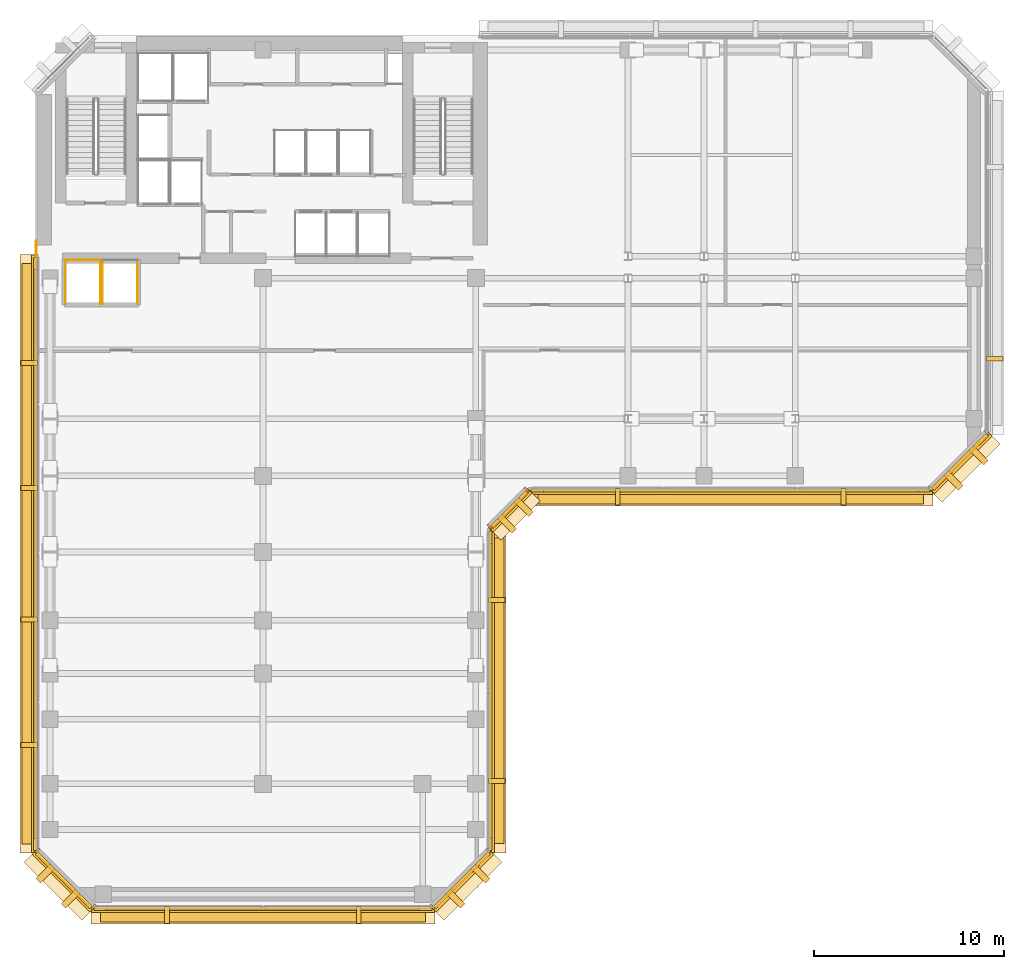
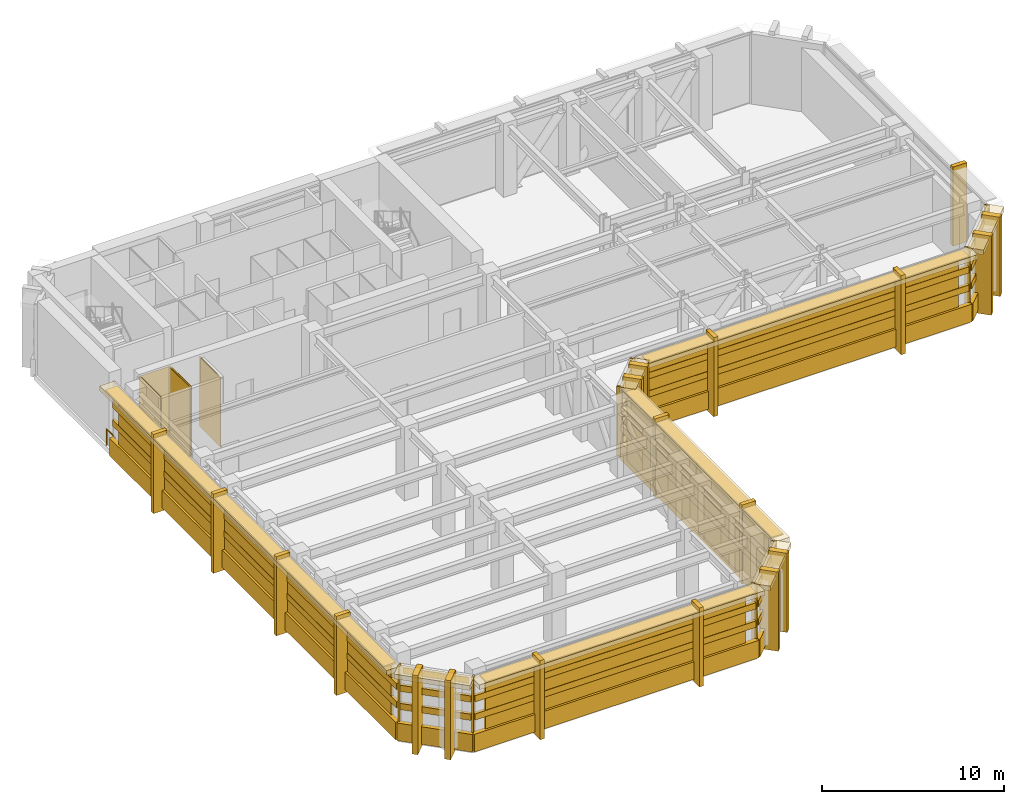
# One storey, part 9 of 12: 68 coverings, 8 shading devices, 1 railing.
"""IFC4 building model written with IfcOpenShell, lengths in metres."""

from ifc_helpers import new_model, si_unit, direction, frame, origin, origin_2d, place, context, subcontext, project, spatial, polyline, rectangle, circle, outline, extrude, material, layer, layer_set, type_object, element, save


model = new_model("IFC4")

# Units and contexts
model_context = context("Model", 3, precision=1e-05, world=origin(), true_north=direction((0.0, 1.0)))
body_context = subcontext(model_context, "Body", "Model", "MODEL_VIEW")
ifc_project = project(units=[si_unit("LENGTHUNIT", "METRE"), si_unit("AREAUNIT", "SQUARE_METRE"), si_unit("VOLUMEUNIT", "CUBIC_METRE"), si_unit("PLANEANGLEUNIT", "RADIAN"), si_unit("MASSUNIT", "GRAM", prefix="KILO")], contexts=[model_context])

# Site, building, storey
site_placement = place(None, origin())
site = spatial("IfcSite", under=ifc_project, at=site_placement, CompositionType="ELEMENT")
building_placement = place(site_placement, origin())
building = spatial("IfcBuilding", under=site, at=building_placement, Name="Kefirva Bronze Tower", CompositionType="ELEMENT")
storey_placement = place(building_placement, frame((0.0, 0.0, 174.570068359375)))
storey = spatial("IfcBuildingStorey", under=building, at=storey_placement, Name="L42", CompositionType="ELEMENT", Elevation=174.570068359375)

# Coverings
ifc_material_1 = material(Name="Bronze anodised aluminium", Category="aluminium")
ifc_layer_1 = layer(ifc_material_1, 0.02001953125, Name="Bronze anodised aluminium")
ifc_layer_set_1 = layer_set([ifc_layer_1], Name="Bronze anodised aluminium")
covering_type_1 = type_object("IfcCoveringType", Name="Anodised Bronze Spandrel Cladding 20mm", PredefinedType="CLADDING", material=ifc_layer_set_1)
covering_1_placement = place(storey_placement, frame((12.0, -0.0400390625, -0.16015625), z_axis=(0.0, 0.0, 1.0), x_axis=(1.0, 0.0, 0.0)))
element("IfcCovering", 1, at=covering_1_placement, inside=storey, type_object=covering_type_1, Name="L42 Streamline Horizontal Spandrel Band 0", PredefinedType="CLADDING", context=body_context, shape_type="SweptSolid", body=[
    extrude(rectangle(XDim=18.0400390625, YDim=0.280029296875, at=origin_2d()), origin(), (0.0, 0.0, 1.0), 1.179931640625),
])
for number, where, z_axis, x_axis, name in (
    (2, (12.0, 0.0400390625, 1.85791015625), (0.0, 0.0, 1.0), (1.0, 0.0, 0.0), "L42 Recessed Zone-Break Bronze Louvre Band 0-1"),
    (3, (12.0, 0.0400390625, 3.080078125), (0.0, 0.0, 1.0), (1.0, 0.0, 0.0), "L42 Recessed Zone-Break Bronze Louvre Band 0-2"),
):
    element("IfcCovering", number, at=place(storey_placement, frame(where, z_axis=z_axis, x_axis=x_axis)), inside=storey, type_object=covering_type_1, Name=name, PredefinedType="CLADDING", context=body_context, shape_type="SweptSolid", body=[
        extrude(rectangle(XDim=17.800048828125, YDim=0.199951171875, at=origin_2d()), origin(), (0.0, 0.0, 1.0), 0.419921875),
    ])
covering_2_placement = place(storey_placement, frame((22.507080078125, 1.492919921875, 4.280029296875), z_axis=(0.0, 0.0, 1.0), x_axis=(0.707106781187, 0.707106781187, 0.0)))
element("IfcCovering", 4, at=covering_2_placement, inside=storey, type_object=covering_type_1, Name="L42 Bronze Spandrel Cladding 1", PredefinedType="CLADDING", context=body_context, shape_type="SweptSolid", body=[
    extrude(rectangle(XDim=3.719482421875, YDim=0.02001953125, at=origin_2d()), origin(), (0.0, 0.0, 1.0), 0.39990234375),
])
for number, where, z_axis, x_axis, name in (
    (5, (20.91162109375, 0.137939453125, 0.0), (0.0, 0.0, 1.0), (0.707106781187, 0.707106781187, 0.0), "L42 Facade Joint Closure Panel 1S"),
    (6, (23.862060546875, 3.08837890625, 0.0), (0.0, 0.0, 1.0), (0.707106781187, 0.707106781187, 0.0), "L42 Facade Joint Closure Panel 1E"),
):
    element("IfcCovering", number, at=place(storey_placement, frame(where, z_axis=z_axis, x_axis=x_axis)), inside=storey, type_object=covering_type_1, Name=name, PredefinedType="CLADDING", context=body_context, shape_type="SweptSolid", body=[
        extrude(rectangle(XDim=0.10009765625, YDim=0.320068359375, at=origin_2d()), origin(), (0.0, 0.0, 1.0), 4.699951171875),
    ])
covering_3_placement = place(storey_placement, frame((22.5283203125, 1.4716796875, -0.16015625), z_axis=(0.0, 0.0, 1.0), x_axis=(0.707106781187, 0.707106781187, 0.0)))
element("IfcCovering", 7, at=covering_3_placement, inside=storey, type_object=covering_type_1, Name="L42 Streamline Horizontal Spandrel Band 1", PredefinedType="CLADDING", context=body_context, shape_type="SweptSolid", body=[
    extrude(rectangle(XDim=4.28271484375, YDim=0.280029296875, at=origin_2d()), origin(), (0.0, 0.0, 1.0), 1.179931640625),
])
for number, where, z_axis, x_axis, name in (
    (8, (22.4716796875, 1.5283203125, 1.85791015625), (0.0, 0.0, 1.0), (0.707106781187, 0.707106781187, 0.0), "L42 Recessed Zone-Break Bronze Louvre Band 1-1"),
    (9, (22.4716796875, 1.5283203125, 3.080078125), (0.0, 0.0, 1.0), (0.707106781187, 0.707106781187, 0.0), "L42 Recessed Zone-Break Bronze Louvre Band 1-2"),
):
    element("IfcCovering", number, at=place(storey_placement, frame(where, z_axis=z_axis, x_axis=x_axis)), inside=storey, type_object=covering_type_1, Name=name, PredefinedType="CLADDING", context=body_context, shape_type="SweptSolid", body=[
        extrude(rectangle(XDim=4.04248046875, YDim=0.199951171875, at=origin_2d()), origin(), (0.0, 0.0, 1.0), 0.419921875),
    ])
covering_4_placement = place(storey_placement, frame((24.0400390625, 11.5, -0.16015625), z_axis=(0.0, 0.0, 1.0), x_axis=(0.0, 1.0, 0.0)))
element("IfcCovering", 10, at=covering_4_placement, inside=storey, type_object=covering_type_1, Name="L42 Streamline Horizontal Spandrel Band 2", PredefinedType="CLADDING", context=body_context, shape_type="SweptSolid", body=[
    extrude(rectangle(XDim=17.0400390625, YDim=0.280029296875, at=origin_2d()), origin(), (0.0, 0.0, 1.0), 1.179931640625),
])
for number, where, z_axis, x_axis, name in (
    (11, (23.9599609375, 11.5, 1.85791015625), (0.0, 0.0, 1.0), (0.0, 1.0, 0.0), "L42 Recessed Zone-Break Bronze Louvre Band 2-1"),
    (12, (23.9599609375, 11.5, 3.080078125), (0.0, 0.0, 1.0), (0.0, 1.0, 0.0), "L42 Recessed Zone-Break Bronze Louvre Band 2-2"),
):
    element("IfcCovering", number, at=place(storey_placement, frame(where, z_axis=z_axis, x_axis=x_axis)), inside=storey, type_object=covering_type_1, Name=name, PredefinedType="CLADDING", context=body_context, shape_type="SweptSolid", body=[
        extrude(rectangle(XDim=16.800048828125, YDim=0.199951171875, at=origin_2d()), origin(), (0.0, 0.0, 1.0), 0.419921875),
    ])
covering_5_placement = place(storey_placement, frame((25.007080078125, 20.992919921875, 4.280029296875), z_axis=(0.0, 0.0, 1.0), x_axis=(0.707106781187, 0.707106781187, 0.0)))
element("IfcCovering", 13, at=covering_5_placement, inside=storey, type_object=covering_type_1, Name="L42 Bronze Spandrel Cladding 2", PredefinedType="CLADDING", context=body_context, shape_type="SweptSolid", body=[
    extrude(rectangle(XDim=2.446533203125, YDim=0.02001953125, at=origin_2d()), origin(), (0.0, 0.0, 1.0), 0.39990234375),
])
for number, where, z_axis, x_axis, name in (
    (14, (23.91162109375, 20.137939453125, 0.0), (0.0, 0.0, 1.0), (0.707106781187, 0.707106781187, 0.0), "L42 Facade Joint Closure Panel 2S"),
    (15, (25.862060546875, 22.08837890625, 0.0), (0.0, 0.0, 1.0), (0.707106781187, 0.707106781187, 0.0), "L42 Facade Joint Closure Panel 2E"),
):
    element("IfcCovering", number, at=place(storey_placement, frame(where, z_axis=z_axis, x_axis=x_axis)), inside=storey, type_object=covering_type_1, Name=name, PredefinedType="CLADDING", context=body_context, shape_type="SweptSolid", body=[
        extrude(rectangle(XDim=0.10009765625, YDim=0.320068359375, at=origin_2d()), origin(), (0.0, 0.0, 1.0), 4.699951171875),
    ])
covering_6_placement = place(storey_placement, frame((25.0283203125, 20.9716796875, -0.16015625), z_axis=(0.0, 0.0, 1.0), x_axis=(0.707106781187, 0.707106781187, 0.0)))
element("IfcCovering", 16, at=covering_6_placement, inside=storey, type_object=covering_type_1, Name="L42 Streamline Horizontal Spandrel Band 3", PredefinedType="CLADDING", context=body_context, shape_type="SweptSolid", body=[
    extrude(rectangle(XDim=2.868408203125, YDim=0.280029296875, at=origin_2d()), origin(), (0.0, 0.0, 1.0), 1.179931640625),
])
for number, where, z_axis, x_axis, name in (
    (17, (24.9716796875, 21.0283203125, 1.85791015625), (0.0, 0.0, 1.0), (0.707106781187, 0.707106781187, 0.0), "L42 Recessed Zone-Break Bronze Louvre Band 3-1"),
    (18, (24.9716796875, 21.0283203125, 3.080078125), (0.0, 0.0, 1.0), (0.707106781187, 0.707106781187, 0.0), "L42 Recessed Zone-Break Bronze Louvre Band 3-2"),
):
    element("IfcCovering", number, at=place(storey_placement, frame(where, z_axis=z_axis, x_axis=x_axis)), inside=storey, type_object=covering_type_1, Name=name, PredefinedType="CLADDING", context=body_context, shape_type="SweptSolid", body=[
        extrude(rectangle(XDim=2.62841796875, YDim=0.199951171875, at=origin_2d()), origin(), (0.0, 0.0, 1.0), 0.419921875),
    ])
covering_7_placement = place(storey_placement, frame((36.60009765625, 21.9599609375, -0.16015625), z_axis=(0.0, 0.0, 1.0), x_axis=(1.0, 0.0, 0.0)))
element("IfcCovering", 19, at=covering_7_placement, inside=storey, type_object=covering_type_1, Name="L42 Streamline Horizontal Spandrel Band 4", PredefinedType="CLADDING", context=body_context, shape_type="SweptSolid", body=[
    extrude(rectangle(XDim=21.239990234375, YDim=0.280029296875, at=origin_2d()), origin(), (0.0, 0.0, 1.0), 1.179931640625),
])
for number, where, z_axis, x_axis, name in (
    (20, (36.60009765625, 22.0400390625, 1.85791015625), (0.0, 0.0, 1.0), (1.0, 0.0, 0.0), "L42 Recessed Zone-Break Bronze Louvre Band 4-1"),
    (21, (36.60009765625, 22.0400390625, 3.080078125), (0.0, 0.0, 1.0), (1.0, 0.0, 0.0), "L42 Recessed Zone-Break Bronze Louvre Band 4-2"),
):
    element("IfcCovering", number, at=place(storey_placement, frame(where, z_axis=z_axis, x_axis=x_axis)), inside=storey, type_object=covering_type_1, Name=name, PredefinedType="CLADDING", context=body_context, shape_type="SweptSolid", body=[
        extrude(rectangle(XDim=21.0, YDim=0.199951171875, at=origin_2d()), origin(), (0.0, 0.0, 1.0), 0.419921875),
    ])
covering_8_placement = place(storey_placement, frame((48.70703125, 23.492919921875, 4.280029296875), z_axis=(0.0, 0.0, 1.0), x_axis=(0.707106781187, 0.707106781187, 0.0)))
element("IfcCovering", 22, at=covering_8_placement, inside=storey, type_object=covering_type_1, Name="L42 Bronze Spandrel Cladding 3", PredefinedType="CLADDING", context=body_context, shape_type="SweptSolid", body=[
    extrude(rectangle(XDim=3.719482421875, YDim=0.02001953125, at=origin_2d()), origin(), (0.0, 0.0, 1.0), 0.39990234375),
])
for number, where, z_axis, x_axis, name in (
    (23, (47.11181640625, 22.137939453125, 0.0), (0.0, 0.0, 1.0), (0.707106781187, 0.707106781187, 0.0), "L42 Facade Joint Closure Panel 3S"),
    (24, (50.06201171875, 25.08837890625, 0.0), (0.0, 0.0, 1.0), (0.707106781187, 0.707106781187, 0.0), "L42 Facade Joint Closure Panel 3E"),
):
    element("IfcCovering", number, at=place(storey_placement, frame(where, z_axis=z_axis, x_axis=x_axis)), inside=storey, type_object=covering_type_1, Name=name, PredefinedType="CLADDING", context=body_context, shape_type="SweptSolid", body=[
        extrude(rectangle(XDim=0.10009765625, YDim=0.320068359375, at=origin_2d()), origin(), (0.0, 0.0, 1.0), 4.699951171875),
    ])
covering_9_placement = place(storey_placement, frame((48.728271484375, 23.4716796875, -0.16015625), z_axis=(0.0, 0.0, 1.0), x_axis=(0.707106781187, 0.707106781187, 0.0)))
element("IfcCovering", 25, at=covering_9_placement, inside=storey, type_object=covering_type_1, Name="L42 Streamline Horizontal Spandrel Band 5", PredefinedType="CLADDING", context=body_context, shape_type="SweptSolid", body=[
    extrude(rectangle(XDim=4.28271484375, YDim=0.280029296875, at=origin_2d()), origin(), (0.0, 0.0, 1.0), 1.179931640625),
])
for number, where, z_axis, x_axis, name in (
    (26, (48.671630859375, 23.5283203125, 1.85791015625), (0.0, 0.0, 1.0), (0.707106781187, 0.707106781187, 0.0), "L42 Recessed Zone-Break Bronze Louvre Band 5-1"),
    (27, (48.671630859375, 23.5283203125, 3.080078125), (0.0, 0.0, 1.0), (0.707106781187, 0.707106781187, 0.0), "L42 Recessed Zone-Break Bronze Louvre Band 5-2"),
):
    element("IfcCovering", number, at=place(storey_placement, frame(where, z_axis=z_axis, x_axis=x_axis)), inside=storey, type_object=covering_type_1, Name=name, PredefinedType="CLADDING", context=body_context, shape_type="SweptSolid", body=[
        extrude(rectangle(XDim=4.04248046875, YDim=0.199951171875, at=origin_2d()), origin(), (0.0, 0.0, 1.0), 0.419921875),
    ])
covering_10_placement = place(storey_placement, frame((-0.0400390625, 18.697509765625, -0.16015625), z_axis=(0.0, 0.0, 1.0), x_axis=(0.0, -1.0, 0.0)))
element("IfcCovering", 28, at=covering_10_placement, inside=storey, type_object=covering_type_1, Name="L42 Streamline Horizontal Spandrel Band 10", PredefinedType="CLADDING", context=body_context, shape_type="SweptSolid", body=[
    extrude(rectangle(XDim=31.43505859375, YDim=0.280029296875, at=origin_2d()), origin(), (0.0, 0.0, 1.0), 1.179931640625),
])
for number, where, z_axis, x_axis, name in (
    (29, (0.0400390625, 18.697509765625, 1.85791015625), (0.0, 0.0, 1.0), (0.0, -1.0, 0.0), "L42 Recessed Zone-Break Bronze Louvre Band 10-1"),
    (30, (0.0400390625, 18.697509765625, 3.080078125), (0.0, 0.0, 1.0), (0.0, -1.0, 0.0), "L42 Recessed Zone-Break Bronze Louvre Band 10-2"),
):
    element("IfcCovering", number, at=place(storey_placement, frame(where, z_axis=z_axis, x_axis=x_axis)), inside=storey, type_object=covering_type_1, Name=name, PredefinedType="CLADDING", context=body_context, shape_type="SweptSolid", body=[
        extrude(rectangle(XDim=31.195068359375, YDim=0.199951171875, at=origin_2d()), origin(), (0.0, 0.0, 1.0), 0.419921875),
    ])
covering_11_placement = place(storey_placement, frame((1.492919921875, 1.492919921875, 4.280029296875), z_axis=(0.0, 0.0, 1.0), x_axis=(0.707106781187, -0.707106781187, 0.0)))
element("IfcCovering", 31, at=covering_11_placement, inside=storey, type_object=covering_type_1, Name="L42 Bronze Spandrel Cladding 6", PredefinedType="CLADDING", context=body_context, shape_type="SweptSolid", body=[
    extrude(rectangle(XDim=3.719482421875, YDim=0.02001953125, at=origin_2d()), origin(), (0.0, 0.0, 1.0), 0.39990234375),
])
for number, where, z_axis, x_axis, name in (
    (32, (0.137939453125, 3.08837890625, 0.0), (0.0, 0.0, 1.0), (0.707106781187, -0.707106781187, 0.0), "L42 Facade Joint Closure Panel 6S"),
    (33, (3.08837890625, 0.137939453125, 0.0), (0.0, 0.0, 1.0), (0.707106781187, -0.707106781187, 0.0), "L42 Facade Joint Closure Panel 6E"),
):
    element("IfcCovering", number, at=place(storey_placement, frame(where, z_axis=z_axis, x_axis=x_axis)), inside=storey, type_object=covering_type_1, Name=name, PredefinedType="CLADDING", context=body_context, shape_type="SweptSolid", body=[
        extrude(rectangle(XDim=0.10009765625, YDim=0.320068359375, at=origin_2d()), origin(), (0.0, 0.0, 1.0), 4.699951171875),
    ])
covering_12_placement = place(storey_placement, frame((1.4716796875, 1.4716796875, -0.16015625), z_axis=(0.0, 0.0, 1.0), x_axis=(0.707106781187, -0.707106781187, 0.0)))
element("IfcCovering", 34, at=covering_12_placement, inside=storey, type_object=covering_type_1, Name="L42 Streamline Horizontal Spandrel Band 11", PredefinedType="CLADDING", context=body_context, shape_type="SweptSolid", body=[
    extrude(rectangle(XDim=4.28271484375, YDim=0.280029296875, at=origin_2d()), origin(), (0.0, 0.0, 1.0), 1.179931640625),
])
for number, where, z_axis, x_axis, name in (
    (35, (1.5283203125, 1.5283203125, 1.85791015625), (0.0, 0.0, 1.0), (0.707106781187, -0.707106781187, 0.0), "L42 Recessed Zone-Break Bronze Louvre Band 11-1"),
    (36, (1.5283203125, 1.5283203125, 3.080078125), (0.0, 0.0, 1.0), (0.707106781187, -0.707106781187, 0.0), "L42 Recessed Zone-Break Bronze Louvre Band 11-2"),
):
    element("IfcCovering", number, at=place(storey_placement, frame(where, z_axis=z_axis, x_axis=x_axis)), inside=storey, type_object=covering_type_1, Name=name, PredefinedType="CLADDING", context=body_context, shape_type="SweptSolid", body=[
        extrude(rectangle(XDim=4.04248046875, YDim=0.199951171875, at=origin_2d()), origin(), (0.0, 0.0, 1.0), 0.419921875),
    ])
covering_13_placement = place(storey_placement, origin())
element("IfcCovering", 37, at=covering_13_placement, inside=storey, type_object=covering_type_1, Name="L42 Lift OB1 Hoistway Liner N", PredefinedType="CLADDING", context=body_context, shape_type="SweptSolid", body=[
    extrude(outline(polyline([(1.580078125, 34.139892578125), (3.469970703125, 34.139892578125), (3.469970703125, 34.159912109375), (1.580078125, 34.159912109375), (1.580078125, 34.139892578125)])), origin(), (0.0, 0.0, 1.0), 4.699951171875),
])
covering_14_placement = place(storey_placement, origin())
element("IfcCovering", 38, at=covering_14_placement, inside=storey, type_object=covering_type_1, Name="L42 Lift OB1 Hoistway Liner W", PredefinedType="CLADDING", context=body_context, shape_type="SweptSolid", body=[
    extrude(outline(polyline([(1.590087890625, 31.830078125), (1.610107421875, 31.830078125), (1.610107421875, 34.169921875), (1.590087890625, 34.169921875), (1.590087890625, 31.830078125)])), origin(), (0.0, 0.0, 1.0), 4.699951171875),
])
covering_15_placement = place(storey_placement, origin())
element("IfcCovering", 39, at=covering_15_placement, inside=storey, type_object=covering_type_1, Name="L42 Lift OB1 Hoistway Liner E", PredefinedType="CLADDING", context=body_context, shape_type="SweptSolid", body=[
    extrude(outline(polyline([(3.43994140625, 31.830078125), (3.4599609375, 31.830078125), (3.4599609375, 34.169921875), (3.43994140625, 34.169921875), (3.43994140625, 31.830078125)])), origin(), (0.0, 0.0, 1.0), 4.699951171875),
])
covering_16_placement = place(storey_placement, origin())
element("IfcCovering", 40, at=covering_16_placement, inside=storey, type_object=covering_type_1, Name="L42 Lift OB2 Hoistway Liner W", PredefinedType="CLADDING", context=body_context, shape_type="SweptSolid", body=[
    extrude(outline(polyline([(3.5400390625, 31.830078125), (3.56005859375, 31.830078125), (3.56005859375, 34.169921875), (3.5400390625, 34.169921875), (3.5400390625, 31.830078125)])), origin(), (0.0, 0.0, 1.0), 4.699951171875),
])
covering_17_placement = place(storey_placement, origin())
element("IfcCovering", 41, at=covering_17_placement, inside=storey, type_object=covering_type_1, Name="L42 Lift OB2 Hoistway Liner E", PredefinedType="CLADDING", context=body_context, shape_type="SweptSolid", body=[
    extrude(outline(polyline([(5.389892578125, 31.830078125), (5.409912109375, 31.830078125), (5.409912109375, 34.169921875), (5.389892578125, 34.169921875), (5.389892578125, 31.830078125)])), origin(), (0.0, 0.0, 1.0), 4.699951171875),
])

# Shading devices
ifc_layer_2 = layer(ifc_material_1, 0.090087890625, Name="Bronze anodised aluminium")
ifc_layer_set_2 = layer_set([ifc_layer_2], Name="Bronze anodised aluminium")
shading_device_type_1 = type_object("IfcShadingDeviceType", Name="Horizontal Bronze Sunshade Band 750mm", PredefinedType="JALOUSIE", material=ifc_layer_set_2)
shading_device_1_placement = place(storey_placement, frame((12.0, -0.294921875, 4.5947265625), z_axis=(0.0, 0.0, 1.0), x_axis=(1.0, 0.0, 0.0)))
element("IfcShadingDevice", 42, at=shading_device_1_placement, inside=storey, type_object=shading_device_type_1, Name="L42 Horizontal Bronze Sunshade Band 0", PredefinedType="JALOUSIE", context=body_context, shape_type="SweptSolid", body=[
    extrude(rectangle(XDim=17.090087890625, YDim=0.75, at=origin_2d()), origin(), (0.0, 0.0, 1.0), 0.090087890625),
])
shading_device_2_placement = place(storey_placement, frame((24.294921875, 11.5, 4.5947265625), z_axis=(0.0, 0.0, 1.0), x_axis=(0.0, 1.0, 0.0)))
element("IfcShadingDevice", 43, at=shading_device_2_placement, inside=storey, type_object=shading_device_type_1, Name="L42 Horizontal Bronze Sunshade Band 2", PredefinedType="JALOUSIE", context=body_context, shape_type="SweptSolid", body=[
    extrude(rectangle(XDim=16.090087890625, YDim=0.75, at=origin_2d()), origin(), (0.0, 0.0, 1.0), 0.090087890625),
])
shading_device_3_placement = place(storey_placement, frame((36.60009765625, 21.705078125, 4.5947265625), z_axis=(0.0, 0.0, 1.0), x_axis=(1.0, 0.0, 0.0)))
element("IfcShadingDevice", 44, at=shading_device_3_placement, inside=storey, type_object=shading_device_type_1, Name="L42 Horizontal Bronze Sunshade Band 4", PredefinedType="JALOUSIE", context=body_context, shape_type="SweptSolid", body=[
    extrude(rectangle(XDim=20.2900390625, YDim=0.75, at=origin_2d()), origin(), (0.0, 0.0, 1.0), 0.090087890625),
])
shading_device_4_placement = place(storey_placement, frame((-0.294921875, 18.697509765625, 4.5947265625), z_axis=(0.0, 0.0, 1.0), x_axis=(0.0, -1.0, 0.0)))
element("IfcShadingDevice", 45, at=shading_device_4_placement, inside=storey, type_object=shading_device_type_1, Name="L42 Horizontal Bronze Sunshade Band 10", PredefinedType="JALOUSIE", context=body_context, shape_type="SweptSolid", body=[
    extrude(rectangle(XDim=30.5400390625, YDim=0.75, at=origin_2d()), origin(), (0.0, 0.0, 1.0), 0.090087890625),
])

# Railing
ifc_material_2 = material(Name="Stainless steel 316", Category="steel")
railing_type = type_object("IfcRailingType", Name="Interior Stair Guardrail 1100mm", PredefinedType="GUARDRAIL", material=ifc_material_2)
railing_placement = place(storey_placement, frame((0.080078125, 34.199951171875, 0.0)))
element("IfcRailing", 46, at=railing_placement, inside=storey, type_object=railing_type, Name="L42 West Core Junction Guardrail", PredefinedType="GUARDRAIL", context=body_context, shape_type="SweptSolid", body=[
    extrude(circle(Radius=0.02392578125, at=origin_2d()), frame((0.0, 0.0, 1.076171875), z_axis=(0.0, 1.0, 0.0), x_axis=(-1.0, 0.0, 0.0)), (0.0, 0.0, 1.0), 0.949951171875),
    extrude(circle(Radius=0.02099609375, at=origin_2d()), origin(), (0.0, 0.0, 1.0), 1.052001953125),
    extrude(circle(Radius=0.02099609375, at=origin_2d()), frame((0.0, 0.949951171875, 0.0)), (0.0, 0.0, 1.0), 1.052001953125),
])

# Shading devices
ifc_layer_3 = layer(ifc_material_1, 0.159912109375, Name="Bronze anodised aluminium")
ifc_layer_set_3 = layer_set([ifc_layer_3], Name="Bronze anodised aluminium")
shading_device_type_2 = type_object("IfcShadingDeviceType", Name="Recessed Zone-Break Acoustic Louvre Screen", PredefinedType="SHUTTER", material=ifc_layer_set_3)
shading_device_5_placement = place(storey_placement, frame((12.0, 0.0400390625, 0.25), z_axis=(0.0, 0.0, 1.0), x_axis=(1.0, 0.0, 0.0)))
element("IfcShadingDevice", 47, at=shading_device_5_placement, inside=storey, type_object=shading_device_type_2, Name="L42 Acoustic Plant Louvre Screen 0", PredefinedType="SHUTTER", context=body_context, shape_type="SweptSolid", body=[
    extrude(rectangle(XDim=16.489990234375, YDim=0.159912109375, at=origin_2d()), origin(), (0.0, 0.0, 1.0), 4.199951171875),
])
shading_device_6_placement = place(storey_placement, frame((23.9599609375, 11.5, 0.25), z_axis=(0.0, 0.0, 1.0), x_axis=(0.0, 1.0, 0.0)))
element("IfcShadingDevice", 48, at=shading_device_6_placement, inside=storey, type_object=shading_device_type_2, Name="L42 Acoustic Plant Louvre Screen 2", PredefinedType="SHUTTER", context=body_context, shape_type="SweptSolid", body=[
    extrude(rectangle(XDim=15.489990234375, YDim=0.159912109375, at=origin_2d()), origin(), (0.0, 0.0, 1.0), 4.199951171875),
])
shading_device_7_placement = place(storey_placement, frame((36.60009765625, 22.0400390625, 0.25), z_axis=(0.0, 0.0, 1.0), x_axis=(1.0, 0.0, 0.0)))
element("IfcShadingDevice", 49, at=shading_device_7_placement, inside=storey, type_object=shading_device_type_2, Name="L42 Acoustic Plant Louvre Screen 4", PredefinedType="SHUTTER", context=body_context, shape_type="SweptSolid", body=[
    extrude(rectangle(XDim=19.68994140625, YDim=0.159912109375, at=origin_2d()), origin(), (0.0, 0.0, 1.0), 4.199951171875),
])
shading_device_8_placement = place(storey_placement, frame((0.0400390625, 18.697509765625, 0.25), z_axis=(0.0, 0.0, 1.0), x_axis=(0.0, -1.0, 0.0)))
element("IfcShadingDevice", 50, at=shading_device_8_placement, inside=storey, type_object=shading_device_type_2, Name="L42 Acoustic Plant Louvre Screen 10", PredefinedType="SHUTTER", context=body_context, shape_type="SweptSolid", body=[
    extrude(rectangle(XDim=29.93994140625, YDim=0.159912109375, at=origin_2d()), origin(), (0.0, 0.0, 1.0), 4.199951171875),
])

# Coverings
ifc_layer_4 = layer(ifc_material_1, 0.179931640625, Name="Bronze anodised aluminium")
ifc_layer_set_4 = layer_set([ifc_layer_4], Name="Bronze anodised aluminium")
covering_type_2 = type_object("IfcCoveringType", Name="Streamline Bronze Sunshade Eyebrow Cladding 180mm", PredefinedType="CLADDING", material=ifc_layer_set_4)
covering_18_placement = place(storey_placement, frame((12.0, -0.31005859375, 4.3798828125), z_axis=(0.0, 0.0, 1.0), x_axis=(1.0, 0.0, 0.0)))
element("IfcCovering", 51, at=covering_18_placement, inside=storey, type_object=covering_type_2, Name="L42 Streamline Bronze Sunshade Eyebrow 0", PredefinedType="CLADDING", context=body_context, shape_type="SweptSolid", body=[
    extrude(rectangle(XDim=18.080078125, YDim=0.93994140625, at=origin_2d()), origin(), (0.0, 0.0, 1.0), 0.320068359375),
])
covering_19_placement = place(storey_placement, frame((22.71923828125, 1.28076171875, 4.3798828125), z_axis=(0.0, 0.0, 1.0), x_axis=(0.707106781187, 0.707106781187, 0.0)))
element("IfcCovering", 52, at=covering_19_placement, inside=storey, type_object=covering_type_2, Name="L42 Streamline Bronze Sunshade Eyebrow 1", PredefinedType="CLADDING", context=body_context, shape_type="SweptSolid", body=[
    extrude(rectangle(XDim=4.322509765625, YDim=0.93994140625, at=origin_2d()), origin(), (0.0, 0.0, 1.0), 0.320068359375),
])
covering_20_placement = place(storey_placement, frame((24.31005859375, 11.5, 4.3798828125), z_axis=(0.0, 0.0, 1.0), x_axis=(0.0, 1.0, 0.0)))
element("IfcCovering", 53, at=covering_20_placement, inside=storey, type_object=covering_type_2, Name="L42 Streamline Bronze Sunshade Eyebrow 2", PredefinedType="CLADDING", context=body_context, shape_type="SweptSolid", body=[
    extrude(rectangle(XDim=17.080078125, YDim=0.93994140625, at=origin_2d()), origin(), (0.0, 0.0, 1.0), 0.320068359375),
])
covering_21_placement = place(storey_placement, frame((25.21923828125, 20.78076171875, 4.3798828125), z_axis=(0.0, 0.0, 1.0), x_axis=(0.707106781187, 0.707106781187, 0.0)))
element("IfcCovering", 54, at=covering_21_placement, inside=storey, type_object=covering_type_2, Name="L42 Streamline Bronze Sunshade Eyebrow 3", PredefinedType="CLADDING", context=body_context, shape_type="SweptSolid", body=[
    extrude(rectangle(XDim=2.908447265625, YDim=0.93994140625, at=origin_2d()), origin(), (0.0, 0.0, 1.0), 0.320068359375),
])
covering_22_placement = place(storey_placement, frame((36.60009765625, 21.68994140625, 4.3798828125), z_axis=(0.0, 0.0, 1.0), x_axis=(1.0, 0.0, 0.0)))
element("IfcCovering", 55, at=covering_22_placement, inside=storey, type_object=covering_type_2, Name="L42 Streamline Bronze Sunshade Eyebrow 4", PredefinedType="CLADDING", context=body_context, shape_type="SweptSolid", body=[
    extrude(rectangle(XDim=21.280029296875, YDim=0.93994140625, at=origin_2d()), origin(), (0.0, 0.0, 1.0), 0.320068359375),
])
covering_23_placement = place(storey_placement, frame((48.919189453125, 23.28076171875, 4.3798828125), z_axis=(0.0, 0.0, 1.0), x_axis=(0.707106781187, 0.707106781187, 0.0)))
element("IfcCovering", 56, at=covering_23_placement, inside=storey, type_object=covering_type_2, Name="L42 Streamline Bronze Sunshade Eyebrow 5", PredefinedType="CLADDING", context=body_context, shape_type="SweptSolid", body=[
    extrude(rectangle(XDim=4.322509765625, YDim=0.93994140625, at=origin_2d()), origin(), (0.0, 0.0, 1.0), 0.320068359375),
])
covering_24_placement = place(storey_placement, frame((-0.31005859375, 18.697509765625, 4.3798828125), z_axis=(0.0, 0.0, 1.0), x_axis=(0.0, -1.0, 0.0)))
element("IfcCovering", 57, at=covering_24_placement, inside=storey, type_object=covering_type_2, Name="L42 Streamline Bronze Sunshade Eyebrow 10", PredefinedType="CLADDING", context=body_context, shape_type="SweptSolid", body=[
    extrude(rectangle(XDim=31.47509765625, YDim=0.93994140625, at=origin_2d()), origin(), (0.0, 0.0, 1.0), 0.320068359375),
])
covering_25_placement = place(storey_placement, frame((1.28076171875, 1.28076171875, 4.3798828125), z_axis=(0.0, 0.0, 1.0), x_axis=(0.707106781187, -0.707106781187, 0.0)))
element("IfcCovering", 58, at=covering_25_placement, inside=storey, type_object=covering_type_2, Name="L42 Streamline Bronze Sunshade Eyebrow 11", PredefinedType="CLADDING", context=body_context, shape_type="SweptSolid", body=[
    extrude(rectangle(XDim=4.322509765625, YDim=0.93994140625, at=origin_2d()), origin(), (0.0, 0.0, 1.0), 0.320068359375),
])
ifc_layer_5 = layer(ifc_material_1, 0.260009765625, Name="Bronze anodised aluminium")
ifc_layer_set_5 = layer_set([ifc_layer_5], Name="Bronze anodised aluminium")
covering_type_3 = type_object("IfcCoveringType", Name="Unbroken Bronze Buttress Fin Cladding 260mm", PredefinedType="CLADDING", material=ifc_layer_set_5)
for number, where, z_axis, x_axis, name in (
    (59, (6.9599609375, -0.300048828125, -0.35009765625), (0.0, 0.0, 1.0), (1.0, 0.0, 0.0), "L42 Unbroken Vertical Bronze Rib Fin 1"),
    (60, (17.0400390625, -0.300048828125, -0.35009765625), (0.0, 0.0, 1.0), (1.0, 0.0, 0.0), "L42 Unbroken Vertical Bronze Rib Fin 2"),
):
    element("IfcCovering", number, at=place(storey_placement, frame(where, z_axis=z_axis, x_axis=x_axis)), inside=storey, type_object=covering_type_3, Name=name, PredefinedType="CLADDING", context=body_context, shape_type="SweptSolid", body=[
        extrude(rectangle(XDim=0.260009765625, YDim=0.8798828125, at=origin_2d()), origin(), (0.0, 0.0, 1.0), 5.300048828125),
    ])
for number, where, z_axis, x_axis, name in (
    (61, (22.122802734375, 0.55712890625, -0.35009765625), (0.0, 0.0, 1.0), (0.707106781187, 0.707106781187, 0.0), "L42 Chamfered Corner Buttress Fin Cladding 3"),
    (62, (23.44287109375, 1.877197265625, -0.35009765625), (0.0, 0.0, 1.0), (0.707106781187, 0.707106781187, 0.0), "L42 Chamfered Corner Buttress Fin Cladding 4"),
):
    element("IfcCovering", number, at=place(storey_placement, frame(where, z_axis=z_axis, x_axis=x_axis)), inside=storey, type_object=covering_type_3, Name=name, PredefinedType="CLADDING", context=body_context, shape_type="SweptSolid", body=[
        extrude(rectangle(XDim=0.340087890625, YDim=1.080078125, at=origin_2d()), origin(), (0.0, 0.0, 1.0), 5.300048828125),
    ])
for number, where, z_axis, x_axis, name in (
    (63, (24.300048828125, 6.739990234375, -0.35009765625), (0.0, 0.0, 1.0), (0.0, 1.0, 0.0), "L42 Unbroken Vertical Bronze Rib Fin 5"),
    (64, (24.300048828125, 16.260009765625, -0.35009765625), (0.0, 0.0, 1.0), (0.0, 1.0, 0.0), "L42 Unbroken Vertical Bronze Rib Fin 6"),
):
    element("IfcCovering", number, at=place(storey_placement, frame(where, z_axis=z_axis, x_axis=x_axis)), inside=storey, type_object=covering_type_3, Name=name, PredefinedType="CLADDING", context=body_context, shape_type="SweptSolid", body=[
        extrude(rectangle(XDim=0.260009765625, YDim=0.8798828125, at=origin_2d()), origin(), (0.0, 0.0, 1.0), 5.300048828125),
    ])
for number, where, z_axis, x_axis, name in (
    (65, (24.8427734375, 20.277099609375, -0.35009765625), (0.0, 0.0, 1.0), (0.707106781187, 0.707106781187, 0.0), "L42 Chamfered Corner Buttress Fin Cladding 7"),
    (66, (25.722900390625, 21.1572265625, -0.35009765625), (0.0, 0.0, 1.0), (0.707106781187, 0.707106781187, 0.0), "L42 Chamfered Corner Buttress Fin Cladding 8"),
):
    element("IfcCovering", number, at=place(storey_placement, frame(where, z_axis=z_axis, x_axis=x_axis)), inside=storey, type_object=covering_type_3, Name=name, PredefinedType="CLADDING", context=body_context, shape_type="SweptSolid", body=[
        extrude(rectangle(XDim=0.340087890625, YDim=1.080078125, at=origin_2d()), origin(), (0.0, 0.0, 1.0), 5.300048828125),
    ])
for number, where, z_axis, x_axis, name in (
    (67, (30.6640625, 21.699951171875, -0.35009765625), (0.0, 0.0, 1.0), (1.0, 0.0, 0.0), "L42 Unbroken Vertical Bronze Rib Fin 9"),
    (68, (42.535888671875, 21.699951171875, -0.35009765625), (0.0, 0.0, 1.0), (1.0, 0.0, 0.0), "L42 Unbroken Vertical Bronze Rib Fin 10"),
):
    element("IfcCovering", number, at=place(storey_placement, frame(where, z_axis=z_axis, x_axis=x_axis)), inside=storey, type_object=covering_type_3, Name=name, PredefinedType="CLADDING", context=body_context, shape_type="SweptSolid", body=[
        extrude(rectangle(XDim=0.260009765625, YDim=0.8798828125, at=origin_2d()), origin(), (0.0, 0.0, 1.0), 5.300048828125),
    ])
for number, where, z_axis, x_axis, name in (
    (69, (48.32275390625, 22.55712890625, -0.35009765625), (0.0, 0.0, 1.0), (0.707106781187, 0.707106781187, 0.0), "L42 Chamfered Corner Buttress Fin Cladding 11"),
    (70, (49.642822265625, 23.877197265625, -0.35009765625), (0.0, 0.0, 1.0), (0.707106781187, 0.707106781187, 0.0), "L42 Chamfered Corner Buttress Fin Cladding 12"),
):
    element("IfcCovering", number, at=place(storey_placement, frame(where, z_axis=z_axis, x_axis=x_axis)), inside=storey, type_object=covering_type_3, Name=name, PredefinedType="CLADDING", context=body_context, shape_type="SweptSolid", body=[
        extrude(rectangle(XDim=0.340087890625, YDim=1.080078125, at=origin_2d()), origin(), (0.0, 0.0, 1.0), 5.300048828125),
    ])
for number, where, z_axis, x_axis, name in (
    (71, (50.5, 28.9599609375, -0.35009765625), (0.0, 0.0, 1.0), (0.0, 1.0, 0.0), "L42 Unbroken Vertical Bronze Rib Fin 13"),
    (72, (-0.300048828125, 28.743896484375, -0.35009765625), (0.0, 0.0, 1.0), (0.0, -1.0, 0.0), "L42 Unbroken Vertical Bronze Rib Fin 23"),
    (73, (-0.300048828125, 22.15087890625, -0.35009765625), (0.0, 0.0, 1.0), (0.0, -1.0, 0.0), "L42 Unbroken Vertical Bronze Rib Fin 24"),
    (74, (-0.300048828125, 15.244140625, -0.35009765625), (0.0, 0.0, 1.0), (0.0, -1.0, 0.0), "L42 Unbroken Vertical Bronze Rib Fin 25"),
    (75, (-0.300048828125, 8.651123046875, -0.35009765625), (0.0, 0.0, 1.0), (0.0, -1.0, 0.0), "L42 Unbroken Vertical Bronze Rib Fin 26"),
):
    element("IfcCovering", number, at=place(storey_placement, frame(where, z_axis=z_axis, x_axis=x_axis)), inside=storey, type_object=covering_type_3, Name=name, PredefinedType="CLADDING", context=body_context, shape_type="SweptSolid", body=[
        extrude(rectangle(XDim=0.260009765625, YDim=0.8798828125, at=origin_2d()), origin(), (0.0, 0.0, 1.0), 5.300048828125),
    ])
for number, where, z_axis, x_axis, name in (
    (76, (0.55712890625, 1.877197265625, -0.35009765625), (0.0, 0.0, 1.0), (0.707106781187, -0.707106781187, 0.0), "L42 Chamfered Corner Buttress Fin Cladding 27"),
    (77, (1.877197265625, 0.55712890625, -0.35009765625), (0.0, 0.0, 1.0), (0.707106781187, -0.707106781187, 0.0), "L42 Chamfered Corner Buttress Fin Cladding 28"),
):
    element("IfcCovering", number, at=place(storey_placement, frame(where, z_axis=z_axis, x_axis=x_axis)), inside=storey, type_object=covering_type_3, Name=name, PredefinedType="CLADDING", context=body_context, shape_type="SweptSolid", body=[
        extrude(rectangle(XDim=0.340087890625, YDim=1.080078125, at=origin_2d()), origin(), (0.0, 0.0, 1.0), 5.300048828125),
    ])

save(model, "model.ifc")
